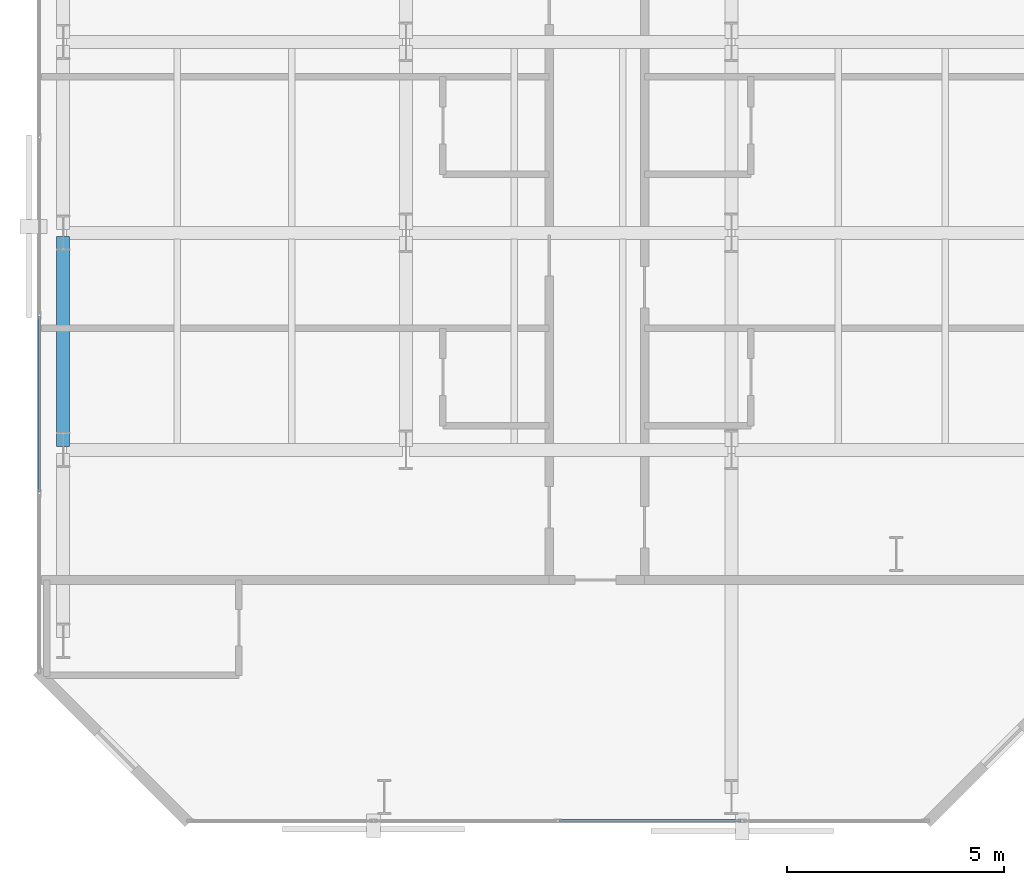
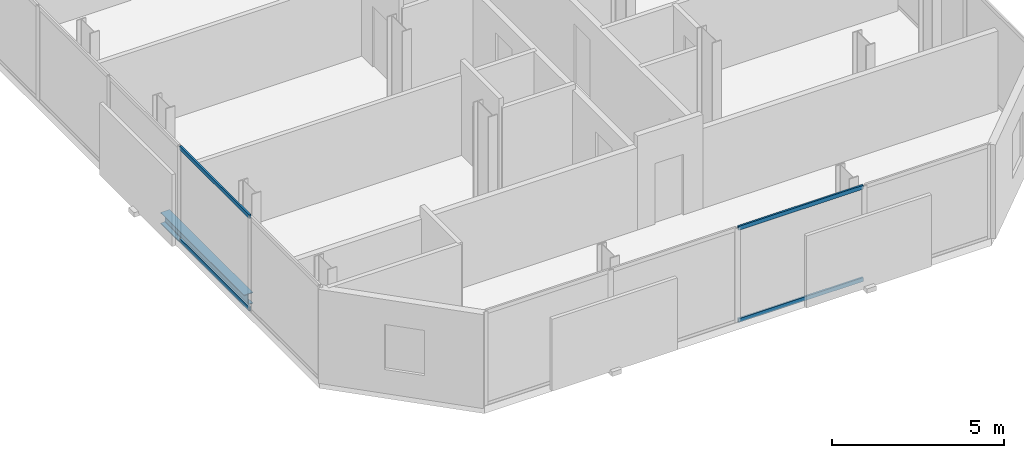
# One storey, part 4 of 32: 4 members, 1 beam, 2 elements without a shape of their own.
"""IFC4 building model written with IfcOpenShell, lengths in metres."""

from ifc_helpers import new_model, si_unit, direction, frame, origin, origin_2d, place, context, subcontext, project, spatial, hollow_rectangle, i_section, extrude, material, layer, layer_set, material_profile, profile_set, type_object, element, aggregate, save


model = new_model("IFC4")

# Units and contexts
model_context = context("Model", 3, precision=1e-05, world=origin(), true_north=direction((0.0, 1.0)))
body_context = subcontext(model_context, "Body", "Model", "MODEL_VIEW")
ifc_project = project(units=[si_unit("LENGTHUNIT", "METRE"), si_unit("AREAUNIT", "SQUARE_METRE"), si_unit("VOLUMEUNIT", "CUBIC_METRE"), si_unit("PLANEANGLEUNIT", "RADIAN"), si_unit("MASSUNIT", "GRAM", prefix="KILO")], contexts=[model_context])

# Site, building, storey
site_placement = place(None, origin())
site = spatial("IfcSite", under=ifc_project, at=site_placement, CompositionType="ELEMENT")
building_placement = place(site_placement, origin())
building = spatial("IfcBuilding", under=site, at=building_placement, Name="Catumbela Crestline Tower", CompositionType="ELEMENT")
storey_placement = place(building_placement, frame((0.0, 0.0, 69.0)))
storey = spatial("IfcBuildingStorey", under=building, at=storey_placement, Name="L17", CompositionType="ELEMENT", Elevation=69.0)

# Beam
ifc_material_1 = material(Name="Structural steel S355J2", Category="steel")
ifc_material_profile_1 = material_profile(ifc_material_1, i_section(OverallWidth=0.3, OverallDepth=0.4, WebThickness=0.0135, FlangeThickness=0.024, FilletRadius=0.027, at=origin_2d()), Name="HEB 400")
ifc_profile_set_1 = profile_set([ifc_material_profile_1], Name="Structural steel S355J2")
beam_type = type_object("IfcBeamType", Name="BS-HEB400", PredefinedType="SPANDREL", material=ifc_profile_set_1)
beam_placement = place(storey_placement, frame((0.6, 8.68, -0.46), z_axis=(0.0, 1.0, 0.0), x_axis=(-1.0, 0.0, 0.0)))
element("IfcBeam", 1, at=beam_placement, inside=storey, type_object=beam_type, Name="L17 Spandrel SP-L17-WNS58", PredefinedType="SPANDREL", context=body_context, shape_type="SweptSolid", body=[
    extrude(i_section(OverallWidth=0.3, OverallDepth=0.4, WebThickness=0.0135, FlangeThickness=0.024, FilletRadius=0.027, at=origin_2d()), origin(), (0.0, 0.0, 1.0), 4.84),
])

# Curtain wall, members
ifc_material_2 = material(Name="Aluminium alloy AW-6060-T66", Category="aluminium")
ifc_layer = layer(ifc_material_2, 0.18, Name="Aluminium alloy AW-6060-T66")
ifc_layer_set = layer_set([ifc_layer], Name="Aluminium alloy AW-6060-T66")
curtain_wall_type = type_object("IfcCurtainWallType", Name="CWU-Z1", PredefinedType="USERDEFINED", material=ifc_layer_set)
curtain_wall_1_placement = place(storey_placement, origin())
curtain_wall_1 = element("IfcCurtainWall", 2, at=curtain_wall_1_placement, inside=storey, type_object=curtain_wall_type, Name="L17 Unitised Curtain Wall CW-L17-E0S1", ObjectType="UNITISED", PredefinedType="USERDEFINED")
ifc_material_profile_2 = material_profile(ifc_material_2, hollow_rectangle(XDim=0.06, YDim=0.14, WallThickness=0.004, at=origin_2d()), Name="ALU 140x60x4")
ifc_profile_set_2 = profile_set([ifc_material_profile_2], Name="Aluminium alloy AW-6060-T66")
member_type = type_object("IfcMemberType", Name="TRN-140X60", PredefinedType="USERDEFINED", material=ifc_profile_set_2)
member_1_placement = place(storey_placement, frame((12.0325, 0.05, 0.03), z_axis=(1.0, 0.0, 0.0), x_axis=(0.0, 1.0, 0.0)))
member_1 = element("IfcMember", 3, at=member_1_placement, type_object=member_type, Name="CWU-Z1 transom 3.1", ObjectType="TRANSOM", PredefinedType="USERDEFINED", context=body_context, shape_type="SweptSolid", body=[
    extrude(hollow_rectangle(XDim=0.06, YDim=0.14, WallThickness=0.004, at=origin_2d()), origin(), (0.0, 0.0, 1.0), 4.185),
])
member_2_placement = place(storey_placement, frame((12.0325, 0.05, 3.3), z_axis=(1.0, 0.0, 0.0), x_axis=(0.0, 1.0, 0.0)))
member_2 = element("IfcMember", 4, at=member_2_placement, type_object=member_type, Name="CWU-Z1 transom 3.2", ObjectType="TRANSOM", PredefinedType="USERDEFINED", context=body_context, shape_type="SweptSolid", body=[
    extrude(hollow_rectangle(XDim=0.06, YDim=0.14, WallThickness=0.004, at=origin_2d()), origin(), (0.0, 0.0, 1.0), 4.185),
])
aggregate(curtain_wall_1, [member_1, member_2])

curtain_wall_2_placement = place(storey_placement, origin())
curtain_wall_2 = element("IfcCurtainWall", 5, at=curtain_wall_2_placement, inside=storey, type_object=curtain_wall_type, Name="L17 Unitised Curtain Wall CW-L17-E9S1", ObjectType="UNITISED", PredefinedType="USERDEFINED")
member_3_placement = place(storey_placement, frame((0.05, 11.6675, 0.03), z_axis=(0.0, -1.0, 0.0), x_axis=(1.0, 0.0, 0.0)))
member_3 = element("IfcMember", 6, at=member_3_placement, type_object=member_type, Name="CWU-Z1 transom 9.1", ObjectType="TRANSOM", PredefinedType="USERDEFINED", context=body_context, shape_type="SweptSolid", body=[
    extrude(hollow_rectangle(XDim=0.06, YDim=0.14, WallThickness=0.004, at=origin_2d()), origin(), (0.0, 0.0, 1.0), 4.035),
])
member_4_placement = place(storey_placement, frame((0.05, 11.6675, 3.3), z_axis=(0.0, -1.0, 0.0), x_axis=(1.0, 0.0, 0.0)))
member_4 = element("IfcMember", 7, at=member_4_placement, type_object=member_type, Name="CWU-Z1 transom 9.2", ObjectType="TRANSOM", PredefinedType="USERDEFINED", context=body_context, shape_type="SweptSolid", body=[
    extrude(hollow_rectangle(XDim=0.06, YDim=0.14, WallThickness=0.004, at=origin_2d()), origin(), (0.0, 0.0, 1.0), 4.035),
])
aggregate(curtain_wall_2, [member_3, member_4])

save(model, "model.ifc")
